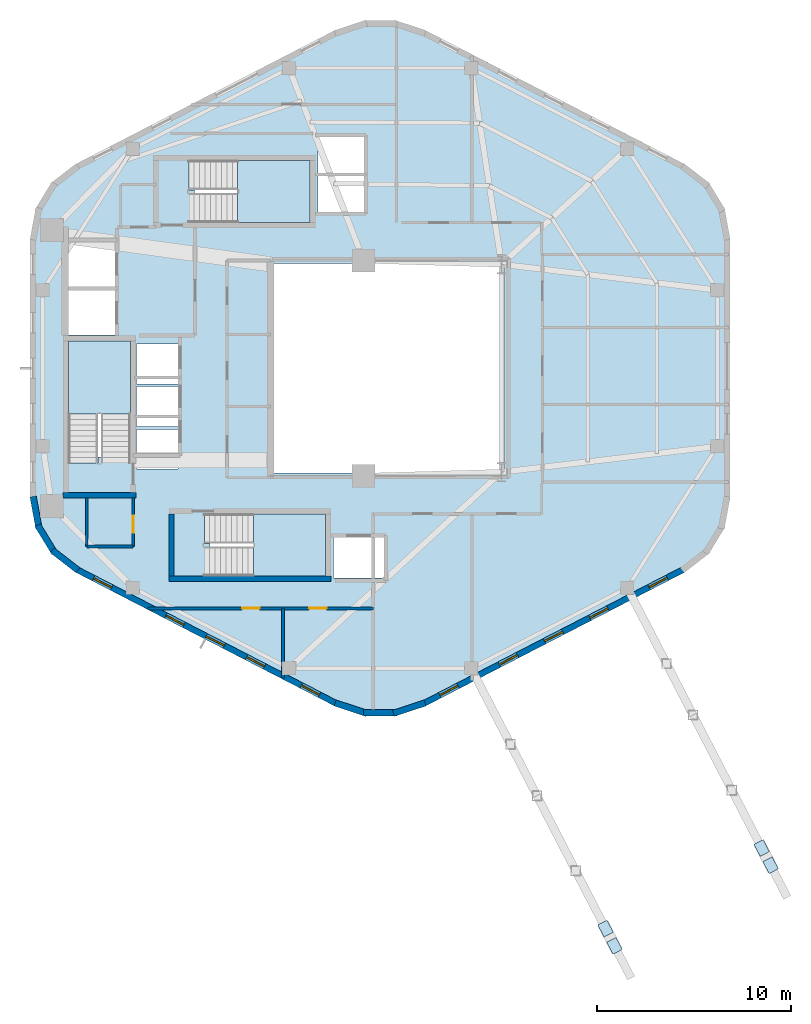
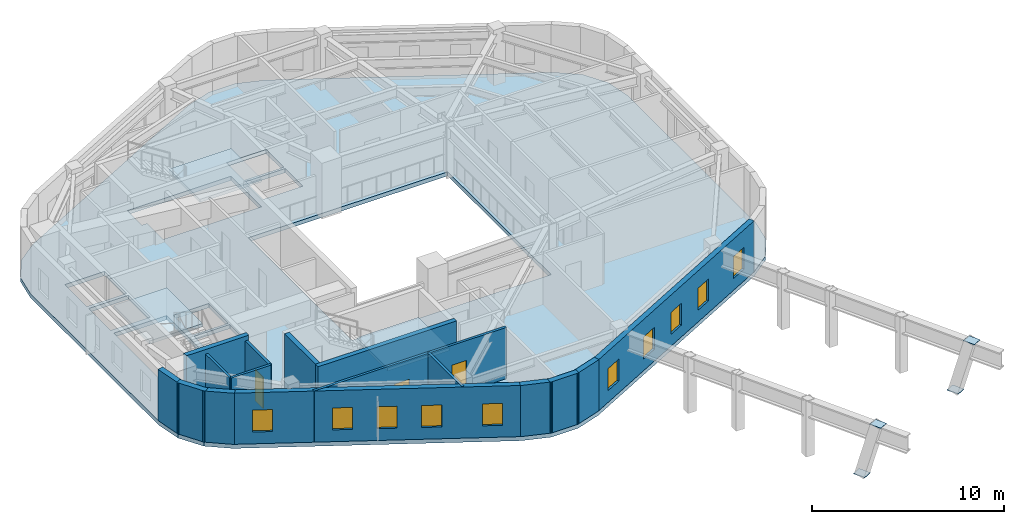
# One storey, part 2 of 6: 16 walls, 10 windows, 4 plates, 4 slabs, 3 doors, 13 openings, 3 elements without a shape of their own.
"""IFC4 building model written with IfcOpenShell, lengths in metres."""

from ifc_helpers import new_model, si_unit, direction, frame, frame_2d, origin, origin_2d, place, context, subcontext, project, spatial, polyline, rectangle, outline, extrude, material, layer, layer_set, type_object, element, fill, aggregate, save


model = new_model("IFC4")

# Units and contexts
model_context = context("Model", 3, precision=1e-05, world=origin(), true_north=direction((0.0, 1.0)))
body_context = subcontext(model_context, "Body", "Model", "MODEL_VIEW")
ifc_project = project(units=[si_unit("LENGTHUNIT", "METRE"), si_unit("AREAUNIT", "SQUARE_METRE"), si_unit("VOLUMEUNIT", "CUBIC_METRE"), si_unit("PLANEANGLEUNIT", "RADIAN"), si_unit("MASSUNIT", "GRAM", prefix="KILO"), si_unit("THERMODYNAMICTEMPERATUREUNIT", "KELVIN"), si_unit("POWERUNIT", "WATT")], contexts=[model_context])

# Site, building, storey
site_placement = place(None, origin())
site = spatial("IfcSite", under=ifc_project, at=site_placement, CompositionType="ELEMENT")
building_placement = place(site_placement, origin())
building = spatial("IfcBuilding", under=site, at=building_placement, Name="Skarre Station Tower", CompositionType="ELEMENT")
storey_placement = place(building_placement, frame((0.0, 0.0, 231.25)))
storey = spatial("IfcBuildingStorey", under=building, at=storey_placement, Name="L63", CompositionType="ELEMENT", Elevation=231.25)

# Plates
ifc_material_1 = material(Name="Steel ASTM A572 Grade 50", Category="steel")
ifc_layer_1 = layer(ifc_material_1, 0.031982421875, Name="Steel ASTM A572 Grade 50")
ifc_layer_set_1 = layer_set([ifc_layer_1], Name="Steel ASTM A572 Grade 50")
plate_type = type_object("IfcPlateType", Name="Exoskeleton Strut Cap Plate 700x540x32", PredefinedType="USERDEFINED", material=ifc_layer_set_1)
for number, where, z_axis, x_axis, name in (
    (1, (44.805908203125, -4.846923828125, -0.2861328125), (0.0, 0.0, 1.0), (0.458711590553, -0.88858521071, 0.0), "L63 SB-5 Exoskeleton Tier-4 Base Gusset S1"),
    (2, (45.264892578125, -5.735107421875, 3.23388671875), (0.0, 0.0, 1.0), (0.458711590553, -0.88858521071, 0.0), "L63 SB-5 Exoskeleton Tier-4 Head Gusset S1"),
    (3, (52.843994140625, -0.697998046875, -0.2861328125), (0.0, 0.0, 1.0), (0.458711590553, -0.88858521071, 0.0), "L63 SB-5 Exoskeleton Tier-4 Base Gusset S2"),
    (4, (53.302978515625, -1.5859375, 3.23388671875), (0.0, 0.0, 1.0), (0.458711590553, -0.88858521071, 0.0), "L63 SB-5 Exoskeleton Tier-4 Head Gusset S2"),
):
    element("IfcPlate", number, at=place(storey_placement, frame(where, z_axis=z_axis, x_axis=x_axis)), inside=storey, type_object=plate_type, Name=name, ObjectType="STIFFENER_PLATE", PredefinedType="USERDEFINED", context=body_context, shape_type="SweptSolid", body=[
        extrude(rectangle(XDim=0.699951171875, YDim=0.5400390625, at=origin_2d()), origin(), (0.0, 0.0, 1.0), 0.031982421875),
    ])

# Stair, slab
ifc_material_2 = material(Name="Concrete C40/50", Category="concrete")
stair_type_1 = type_object("IfcStairType", Name="Reinforced Concrete Exit Stair ST-1", PredefinedType="HALF_TURN_STAIR", material=ifc_material_2)
stair_1_placement = place(storey_placement, origin())
stair_1 = element("IfcStair", 5, at=stair_1_placement, inside=storey, type_object=stair_type_1, Name="L63 Core Exit Stair ST-1", PredefinedType="HALF_TURN_STAIR")
ifc_layer_2 = layer(ifc_material_2, 0.219970703125, Name="Concrete C40/50")
ifc_layer_set_2 = layer_set([ifc_layer_2], Name="Concrete C40/50")
slab_type_1 = type_object("IfcSlabType", Name="Reinforced Concrete Stair & Ramp Landing 220", PredefinedType="LANDING", material=ifc_layer_set_2)
slab_1_placement = place(storey_placement, frame((0.0, 0.0, 1.574951171875)))
slab_1 = element("IfcSlab", 6, at=slab_1_placement, type_object=slab_type_1, Name="ST-1 landing 1", PredefinedType="LANDING", context=body_context, shape_type="SweptSolid", body=[
    extrude(outline(polyline([(20.35009765625, 21.639892578125), (20.35009765625, 25.39990234375), (17.14990234375, 25.39990234375), (17.14990234375, 21.639892578125), (20.35009765625, 21.639892578125)])), origin(), (0.0, 0.0, 1.0), 0.199951171875),
])
aggregate(stair_1, [slab_1])

stair_type_2 = type_object("IfcStairType", Name="Reinforced Concrete Exit Stair ST-2", PredefinedType="HALF_TURN_STAIR", material=ifc_material_2)
stair_2_placement = place(storey_placement, origin())
stair_2 = element("IfcStair", 7, at=stair_2_placement, inside=storey, type_object=stair_type_2, Name="L63 Core Exit Stair ST-2", PredefinedType="HALF_TURN_STAIR")
slab_2_placement = place(storey_placement, frame((0.0, 0.0, 1.574951171875)))
slab_2 = element("IfcSlab", 8, at=slab_2_placement, type_object=slab_type_1, Name="ST-2 landing 1", PredefinedType="LANDING", context=body_context, shape_type="SweptSolid", body=[
    extrude(outline(polyline([(26.669921875, 13.300048828125), (30.39990234375, 13.300048828125), (30.39990234375, 16.5), (26.669921875, 16.5), (26.669921875, 13.300048828125)])), origin(), (0.0, 0.0, 1.0), 0.199951171875),
])
aggregate(stair_2, [slab_2])

stair_type_3 = type_object("IfcStairType", Name="Reinforced Concrete Exit Stair ST-3", PredefinedType="HALF_TURN_STAIR", material=ifc_material_2)
stair_3_placement = place(storey_placement, origin())
stair_3 = element("IfcStair", 9, at=stair_3_placement, inside=storey, type_object=stair_type_3, Name="L63 Core Exit Stair ST-3", PredefinedType="HALF_TURN_STAIR")
slab_3_placement = place(storey_placement, frame((0.0, 0.0, 1.574951171875)))
slab_3 = element("IfcSlab", 10, at=slab_3_placement, type_object=slab_type_1, Name="ST-3 landing 1", PredefinedType="LANDING", context=body_context, shape_type="SweptSolid", body=[
    extrude(outline(polyline([(25.8701171875, 31.5), (29.60009765625, 31.5), (29.60009765625, 34.699951171875), (25.8701171875, 34.699951171875), (25.8701171875, 31.5)])), origin(), (0.0, 0.0, 1.0), 0.199951171875),
])
aggregate(stair_3, [slab_3])

# Slab
ifc_material_3 = material(Name="Concrete C50/60", Category="concrete")
ifc_layer_3 = layer(ifc_material_3, 0.260009765625, Name="Concrete C50/60")
ifc_layer_set_3 = layer_set([ifc_layer_3], Name="Concrete C50/60")
slab_type_2 = type_object("IfcSlabType", Name="Tower Typical Composite Floor Slab 260", PredefinedType="FLOOR", material=ifc_layer_set_3)
slab_4_placement = place(storey_placement, frame((0.0, 0.0, -0.260009765625)))
element("IfcSlab", 11, at=slab_4_placement, inside=storey, type_object=slab_type_2, Name="L63 Zone 4 Structural Floor Slab", PredefinedType="FLOOR", context=body_context, shape_type="SweptSolid", body=[
    extrude(outline(polyline([(51.212890625, 30.701904296875), (50.93310546875, 32.222900390625), (50.1279296875, 33.544921875), (48.905029296875, 34.491943359375), (35.508056640625, 41.407958984375), (33.99609375, 41.906005859375), (32.404052734375, 41.906005859375), (30.89208984375, 41.407958984375), (17.4951171875, 34.491943359375), (16.27197265625, 33.544921875), (15.467041015625, 32.222900390625), (15.18701171875, 30.701904296875), (15.18701171875, 17.298095703125), (15.467041015625, 15.777099609375), (16.27197265625, 14.455078125), (17.4951171875, 13.508056640625), (30.89208984375, 6.592041015625), (32.404052734375, 6.093994140625), (33.99609375, 6.093994140625), (35.508056640625, 6.592041015625), (48.905029296875, 13.508056640625), (50.1279296875, 14.455078125), (50.93310546875, 15.777099609375), (51.212890625, 17.298095703125), (51.212890625, 30.701904296875)]), holes=[polyline([(18.669921875, 19.419921875), (18.669921875, 19.123046875), (17.14990234375, 19.123046875), (17.14990234375, 25.39990234375), (20.35009765625, 25.39990234375), (20.35009765625, 19.419921875), (18.669921875, 19.419921875)]), polyline([(24.449951171875, 14.97998046875), (24.153076171875, 14.97998046875), (24.153076171875, 16.5), (30.39990234375, 16.5), (30.39990234375, 13.300048828125), (24.449951171875, 13.300048828125), (24.449951171875, 14.97998046875)]), polyline([(23.64990234375, 33.179931640625), (23.35302734375, 33.179931640625), (23.35302734375, 34.699951171875), (29.60009765625, 34.699951171875), (29.60009765625, 31.5), (23.64990234375, 31.5), (23.64990234375, 33.179931640625)]), polyline([(17.14990234375, 28.0), (19.550048828125, 28.0), (19.550048828125, 25.699951171875), (17.14990234375, 25.699951171875), (17.14990234375, 28.0)]), polyline([(17.14990234375, 30.5), (19.550048828125, 30.5), (19.550048828125, 28.199951171875), (17.14990234375, 28.199951171875), (17.14990234375, 30.5)]), polyline([(30.800048828125, 15.300048828125), (33.39990234375, 15.300048828125), (33.39990234375, 13.199951171875), (30.800048828125, 13.199951171875), (30.800048828125, 15.300048828125)]), polyline([(20.64990234375, 20.85009765625), (22.800048828125, 20.85009765625), (22.800048828125, 18.800048828125), (20.64990234375, 18.800048828125), (20.64990234375, 20.85009765625)]), polyline([(20.64990234375, 23.050048828125), (22.800048828125, 23.050048828125), (22.800048828125, 21.0), (20.64990234375, 21.0), (20.64990234375, 23.050048828125)]), polyline([(20.64990234375, 25.25), (22.800048828125, 25.25), (22.800048828125, 23.199951171875), (20.64990234375, 23.199951171875), (20.64990234375, 25.25)]), polyline([(30.0, 33.89990234375), (32.39990234375, 33.89990234375), (32.39990234375, 32.050048828125), (30.0, 32.050048828125), (30.0, 33.89990234375)]), polyline([(30.0, 35.89990234375), (32.39990234375, 35.89990234375), (32.39990234375, 34.050048828125), (30.0, 34.050048828125), (30.0, 35.89990234375)]), polyline([(27.60009765625, 29.39990234375), (39.60009765625, 29.39990234375), (39.60009765625, 18.60009765625), (27.60009765625, 18.60009765625), (27.60009765625, 29.39990234375)])]), origin(), (0.0, 0.0, 1.0), 0.260009765625),
])

# Walls
ifc_material_4 = material(Name="Acoustic Steel-Stud Gypsum Partition", Category="steel")
ifc_layer_4 = layer(ifc_material_4, 0.14990234375, Name="Acoustic Steel-Stud Gypsum Partition")
ifc_layer_set_4 = layer_set([ifc_layer_4], Name="Acoustic Steel-Stud Gypsum Partition")
wall_type_1 = type_object("IfcWallType", Name="Fire-Rated Corridor Acoustic Partition 150", PredefinedType="PARTITIONING", material=ifc_layer_set_4)
wall_1_placement = place(storey_placement, frame((18.10009765625, 17.340087890625, 0.0), z_axis=(0.0, 0.0, 1.0), x_axis=(0.0, -1.0, 0.0)))
element("IfcWall", 12, at=wall_1_placement, inside=storey, type_object=wall_type_1, Name="L63 Interior Partition WL-PT-L63-CSVC-W", PredefinedType="PARTITIONING", context=body_context, shape_type="SweptSolid", body=[
    extrude(rectangle(XDim=2.52001953125, YDim=0.14990234375, at=frame_2d((1.260009765625, 0.0))), origin(), (0.0, 0.0, 1.0), 3.260009765625),
])
wall_2_placement = place(storey_placement, frame((18.10009765625, 14.820068359375, 0.0), z_axis=(0.0, 0.0, 1.0), x_axis=(1.0, 0.0, 0.0)))
element("IfcWall", 13, at=wall_2_placement, inside=storey, type_object=wall_type_1, Name="L63 Interior Partition WL-PT-L63-CSVC-S", PredefinedType="PARTITIONING", context=body_context, shape_type="SweptSolid", body=[
    extrude(rectangle(XDim=2.389892578125, YDim=0.14990234375, at=frame_2d((1.19482421875, 0.0))), origin(), (0.0, 0.0, 1.0), 3.260009765625),
])

# Wall, opening, door
wall_3_placement = place(storey_placement, frame((20.489990234375, 14.820068359375, 0.0), z_axis=(0.0, 0.0, 1.0), x_axis=(0.0, 1.0, 0.0)))
wall_3 = element("IfcWall", 14, at=wall_3_placement, inside=storey, type_object=wall_type_1, Name="L63 Interior Partition WL-PT-L63-CSVC-E", PredefinedType="PARTITIONING", context=body_context, shape_type="SweptSolid", body=[
    extrude(rectangle(XDim=2.52001953125, YDim=0.14990234375, at=frame_2d((1.260009765625, 0.0))), origin(), (0.0, 0.0, 1.0), 3.260009765625),
])
opening_1_placement = place(wall_3_placement, frame((0.719970703125, 0.0, 0.0)))
opening_1 = element("IfcOpeningElement", 15, at=opening_1_placement, cuts=wall_3, Name="Opening DR-SVC86", PredefinedType="OPENING", context=body_context, shape_type="SweptSolid", body=[
    extrude(rectangle(XDim=0.860107421875, YDim=2.0, at=frame_2d((0.43017578125, 1.0))), frame((0.0, 0.0849609375, 0.0), z_axis=(0.0, -1.0, 0.0), x_axis=(1.0, 0.0, 0.0)), (0.0, 0.0, 1.0), 0.169921875),
])
ifc_material_5 = material(Name="Powder-Coated Hollow-Metal Acoustic Fire Leaf", Category="steel")
door_type_1 = type_object("IfcDoorType", Name="Compact Riser Fire Door FD60 860x2100", OperationType="SINGLE_SWING_LEFT", PredefinedType="DOOR", material=ifc_material_5)
door_1_placement = place(opening_1_placement, origin())
door_1 = element("IfcDoor", 16, at=door_1_placement, inside=storey, type_object=door_type_1, Name="L63 Core Staff Toilet Door", OperationType="SINGLE_SWING_LEFT", OverallHeight=2.0, OverallWidth=0.860107421875, PredefinedType="DOOR", context=body_context, shape_type="SweptSolid", body=[
    extrude(rectangle(XDim=0.860107421875, YDim=2.0, at=frame_2d((0.43017578125, 1.0))), frame((0.0, 0.02490234375, 0.0), z_axis=(0.0, -1.0, 0.0), x_axis=(1.0, 0.0, 0.0)), (0.0, 0.0, 1.0), 0.050048828125),
])
fill(opening_1, door_1)

# Wall
wall_4_placement = place(storey_placement, frame((28.199951171875, 8.049072265625, 0.0), z_axis=(0.0, 0.0, 1.0), x_axis=(0.0, 1.0, 0.0)))
element("IfcWall", 17, at=wall_4_placement, inside=storey, type_object=wall_type_1, Name="L63 Interior Partition WL-PT-L63-SWP-M", PredefinedType="PARTITIONING", context=body_context, shape_type="SweptSolid", body=[
    extrude(rectangle(XDim=3.5908203125, YDim=0.14990234375, at=frame_2d((1.79541015625, 0.0))), origin(), (0.0, 0.0, 1.0), 3.260009765625),
])

# Wall, openings, doors
wall_5_placement = place(storey_placement, frame((21.243896484375, 11.639892578125, 0.0), z_axis=(0.0, 0.0, 1.0), x_axis=(1.0, 0.0, 0.0)))
wall_5 = element("IfcWall", 18, at=wall_5_placement, inside=storey, type_object=wall_type_1, Name="L63 Interior Partition WL-PT-L63-SWP-N", PredefinedType="PARTITIONING", context=body_context, shape_type="SweptSolid", body=[
    extrude(rectangle(XDim=11.606201171875, YDim=0.14990234375, at=frame_2d((5.80322265625, 0.0))), origin(), (0.0, 0.0, 1.0), 3.260009765625),
])
opening_2_placement = place(wall_5_placement, frame((4.85595703125, 0.0, 0.0)))
opening_2 = element("IfcOpeningElement", 19, at=opening_2_placement, cuts=wall_5, Name="Opening DR-SVC90", PredefinedType="OPENING", context=body_context, shape_type="SweptSolid", body=[
    extrude(rectangle(XDim=0.89990234375, YDim=2.0, at=frame_2d((0.449951171875, 1.0))), frame((0.0, 0.0849609375, 0.0), z_axis=(0.0, -1.0, 0.0), x_axis=(1.0, 0.0, 0.0)), (0.0, 0.0, 1.0), 0.169921875),
])
opening_3_placement = place(wall_5_placement, frame((8.305908203125, 0.0, 0.0)))
opening_3 = element("IfcOpeningElement", 20, at=opening_3_placement, cuts=wall_5, Name="Opening DR-SVC90", PredefinedType="OPENING", context=body_context, shape_type="SweptSolid", body=[
    extrude(rectangle(XDim=0.89990234375, YDim=2.0, at=frame_2d((0.449951171875, 1.0))), frame((0.0, 0.0849609375, 0.0), z_axis=(0.0, -1.0, 0.0), x_axis=(1.0, 0.0, 0.0)), (0.0, 0.0, 1.0), 0.169921875),
])
door_type_2 = type_object("IfcDoorType", Name="Service & Riser Fire Door FD60 900x2100", OperationType="SINGLE_SWING_LEFT", PredefinedType="DOOR", material=ifc_material_5)
door_2_placement = place(opening_2_placement, origin())
door_2 = element("IfcDoor", 21, at=door_2_placement, inside=storey, type_object=door_type_2, Name="L63 Floor Public Toilets Door", OperationType="SINGLE_SWING_LEFT", OverallHeight=2.0, OverallWidth=0.89990234375, PredefinedType="DOOR", context=body_context, shape_type="SweptSolid", body=[
    extrude(rectangle(XDim=0.89990234375, YDim=2.0, at=frame_2d((0.449951171875, 1.0))), frame((0.0, 0.02490234375, 0.0), z_axis=(0.0, -1.0, 0.0), x_axis=(1.0, 0.0, 0.0)), (0.0, 0.0, 1.0), 0.050048828125),
])
fill(opening_2, door_2)
door_3_placement = place(opening_3_placement, origin())
door_3 = element("IfcDoor", 22, at=door_3_placement, inside=storey, type_object=door_type_2, Name="L63 South-West Study Door", OperationType="SINGLE_SWING_LEFT", OverallHeight=2.0, OverallWidth=0.89990234375, PredefinedType="DOOR", context=body_context, shape_type="SweptSolid", body=[
    extrude(rectangle(XDim=0.89990234375, YDim=2.0, at=frame_2d((0.449951171875, 1.0))), frame((0.0, 0.02490234375, 0.0), z_axis=(0.0, -1.0, 0.0), x_axis=(1.0, 0.0, 0.0)), (0.0, 0.0, 1.0), 0.050048828125),
])
fill(opening_3, door_3)

# Walls
ifc_material_6 = material(Name="Precast concrete C45/55", Category="concrete")
ifc_layer_5 = layer(ifc_material_6, 0.330078125, Name="Precast concrete C45/55")
ifc_layer_set_5 = layer_set([ifc_layer_5], Name="Precast concrete C45/55")
wall_type_2 = type_object("IfcWallType", Name="Nordic Rounded Corner Precast Wall 330", PredefinedType="STANDARD", material=ifc_layer_set_5)
wall_6_placement = place(storey_placement, frame((17.64697265625, 13.59912109375, 0.0), z_axis=(0.0, 0.0, 1.0), x_axis=(-0.790691856293, 0.61221433207, 0.0)))
element("IfcWall", 23, at=wall_6_placement, inside=storey, type_object=wall_type_2, Name="L63 Rounded Corner Precast Wall F3-1", PredefinedType="STANDARD", context=body_context, shape_type="SweptSolid", body=[
    extrude(rectangle(XDim=1.67578125, YDim=0.330078125, at=frame_2d((0.837890625, 0.0))), origin(), (0.0, 0.0, 1.0), 3.260009765625),
])
wall_7_placement = place(storey_placement, frame((16.447021484375, 14.485107421875, 0.0), z_axis=(0.0, 0.0, 1.0), x_axis=(-0.520325409202, 0.853968072318, 0.0)))
element("IfcWall", 24, at=wall_7_placement, inside=storey, type_object=wall_type_2, Name="L63 Rounded Corner Precast Wall F3-2", PredefinedType="STANDARD", context=body_context, shape_type="SweptSolid", body=[
    extrude(rectangle(XDim=1.677978515625, YDim=0.330078125, at=frame_2d((0.8388671875, 0.0))), origin(), (0.0, 0.0, 1.0), 3.260009765625),
])
wall_8_placement = place(storey_placement, frame((15.64111328125, 15.742919921875, 0.0), z_axis=(0.0, 0.0, 1.0), x_axis=(-0.180832605401, 0.983513888475, 0.0)))
element("IfcWall", 25, at=wall_8_placement, inside=storey, type_object=wall_type_2, Name="L63 Rounded Corner Precast Wall F3-3", PredefinedType="STANDARD", context=body_context, shape_type="SweptSolid", body=[
    extrude(rectangle(XDim=1.6767578125, YDim=0.330078125, at=frame_2d((0.83837890625, 0.0))), origin(), (0.0, 0.0, 1.0), 3.260009765625),
])
wall_9_placement = place(storey_placement, frame((35.51806640625, 6.76904296875, 0.0), z_axis=(0.0, 0.0, 1.0), x_axis=(-0.949713440491, -0.313120393699, 0.0)))
element("IfcWall", 26, at=wall_9_placement, inside=storey, type_object=wall_type_2, Name="L63 Rounded Corner Precast Wall F4-1", PredefinedType="STANDARD", context=body_context, shape_type="SweptSolid", body=[
    extrude(rectangle(XDim=1.7216796875, YDim=0.330078125, at=frame_2d((0.86083984375, 0.0))), origin(), (0.0, 0.0, 1.0), 3.260009765625),
])
wall_10_placement = place(storey_placement, frame((34.06103515625, 6.259033203125, 0.0), z_axis=(0.0, 0.0, 1.0), x_axis=(-1.0, 0.0, 0.0)))
element("IfcWall", 27, at=wall_10_placement, inside=storey, type_object=wall_type_2, Name="L63 Rounded Corner Precast Wall F4-2", PredefinedType="STANDARD", context=body_context, shape_type="SweptSolid", body=[
    extrude(rectangle(XDim=1.721923828125, YDim=0.330078125, at=frame_2d((0.86083984375, 0.0))), origin(), (0.0, 0.0, 1.0), 3.260009765625),
])
wall_11_placement = place(storey_placement, frame((32.51708984375, 6.22998046875, 0.0), z_axis=(0.0, 0.0, 1.0), x_axis=(-0.949713440491, 0.313120393699, 0.0)))
element("IfcWall", 28, at=wall_11_placement, inside=storey, type_object=wall_type_2, Name="L63 Rounded Corner Precast Wall F4-3", PredefinedType="STANDARD", context=body_context, shape_type="SweptSolid", body=[
    extrude(rectangle(XDim=1.7216796875, YDim=0.330078125, at=frame_2d((0.86083984375, 0.0))), origin(), (0.0, 0.0, 1.0), 3.260009765625),
])

# Wall, openings, windows
ifc_layer_6 = layer(ifc_material_6, 0.31005859375, Name="Precast concrete C45/55")
ifc_layer_set_6 = layer_set([ifc_layer_6], Name="Precast concrete C45/55")
wall_type_3 = type_object("IfcWallType", Name="Nordic Upper-Zone Precast Facet Wall 310", PredefinedType="STANDARD", material=ifc_layer_set_6)
wall_12_placement = place(storey_placement, frame((30.962890625, 6.72998046875, 0.0), z_axis=(0.0, 0.0, 1.0), x_axis=(-0.888581481622, 0.458718814218, 0.0)))
wall_12 = element("IfcWall", 29, at=wall_12_placement, inside=storey, type_object=wall_type_3, Name="L63 Facet 3 Nordic Precast Masonry Wall", PredefinedType="STANDARD", context=body_context, shape_type="SweptSolid", body=[
    extrude(rectangle(XDim=15.076904296875, YDim=0.31005859375, at=frame_2d((7.53857421875, 0.0))), origin(), (0.0, 0.0, 1.0), 3.260009765625),
])
opening_4_placement = place(wall_12_placement, frame((0.998046875, 0.0, 0.75)))
opening_4 = element("IfcOpeningElement", 30, at=opening_4_placement, cuts=wall_12, Name="Opening WN-SLT", PredefinedType="OPENING", context=body_context, shape_type="SweptSolid", body=[
    extrude(rectangle(XDim=1.050048828125, YDim=1.39990234375, at=frame_2d((0.52490234375, 0.699951171875))), frame((0.0, 0.1650390625, 0.0), z_axis=(0.0, -1.0, 0.0), x_axis=(1.0, 0.0, 0.0)), (0.0, 0.0, 1.0), 0.330078125),
])
opening_5_placement = place(wall_12_placement, frame((4.176025390625, 0.0, 0.75)))
opening_5 = element("IfcOpeningElement", 31, at=opening_5_placement, cuts=wall_12, Name="Opening WN-SLT", PredefinedType="OPENING", context=body_context, shape_type="SweptSolid", body=[
    extrude(rectangle(XDim=1.050048828125, YDim=1.39990234375, at=frame_2d((0.52490234375, 0.699951171875))), frame((0.0, 0.1650390625, 0.0), z_axis=(0.0, -1.0, 0.0), x_axis=(1.0, 0.0, 0.0)), (0.0, 0.0, 1.0), 0.330078125),
])
opening_6_placement = place(wall_12_placement, frame((6.509033203125, 0.0, 0.75)))
opening_6 = element("IfcOpeningElement", 32, at=opening_6_placement, cuts=wall_12, Name="Opening WN-SLT", PredefinedType="OPENING", context=body_context, shape_type="SweptSolid", body=[
    extrude(rectangle(XDim=1.050048828125, YDim=1.39990234375, at=frame_2d((0.52490234375, 0.699951171875))), frame((0.0, 0.1650390625, 0.0), z_axis=(0.0, -1.0, 0.0), x_axis=(1.0, 0.0, 0.0)), (0.0, 0.0, 1.0), 0.330078125),
])
opening_7_placement = place(wall_12_placement, frame((8.842041015625, 0.0, 0.75)))
opening_7 = element("IfcOpeningElement", 33, at=opening_7_placement, cuts=wall_12, Name="Opening WN-SLT", PredefinedType="OPENING", context=body_context, shape_type="SweptSolid", body=[
    extrude(rectangle(XDim=1.050048828125, YDim=1.39990234375, at=frame_2d((0.52490234375, 0.699951171875))), frame((0.0, 0.1650390625, 0.0), z_axis=(0.0, -1.0, 0.0), x_axis=(1.0, 0.0, 0.0)), (0.0, 0.0, 1.0), 0.330078125),
])
opening_8_placement = place(wall_12_placement, frame((13.029052734375, 0.0, 0.75)))
opening_8 = element("IfcOpeningElement", 34, at=opening_8_placement, cuts=wall_12, Name="Opening WN-SLT", PredefinedType="OPENING", context=body_context, shape_type="SweptSolid", body=[
    extrude(rectangle(XDim=1.050048828125, YDim=1.39990234375, at=frame_2d((0.52490234375, 0.699951171875))), frame((0.0, 0.1650390625, 0.0), z_axis=(0.0, -1.0, 0.0), x_axis=(1.0, 0.0, 0.0)), (0.0, 0.0, 1.0), 0.330078125),
])
ifc_material_7 = material(Name="Low-Iron Triple Glazing with Bronze Anodized Frame", Category="glass")
window_type = type_object("IfcWindowType", Name="Nordic Corner Slot Window 1050x1400", PartitioningType="SINGLE_PANEL", PredefinedType="WINDOW", material=ifc_material_7)
window_1_placement = place(opening_4_placement, origin())
window_1 = element("IfcWindow", 35, at=window_1_placement, inside=storey, type_object=window_type, Name="L63 Facade Window WL-FAC-L63-F3-1", OverallHeight=1.39990234375, OverallWidth=1.050048828125, PartitioningType="SINGLE_PANEL", PredefinedType="WINDOW", context=body_context, shape_type="SweptSolid", body=[
    extrude(rectangle(XDim=1.050048828125, YDim=1.39990234375, at=frame_2d((0.52490234375, 0.699951171875))), frame((0.0, 0.030029296875, 0.0), z_axis=(0.0, -1.0, 0.0), x_axis=(1.0, 0.0, 0.0)), (0.0, 0.0, 1.0), 0.06005859375),
])
fill(opening_4, window_1)
window_2_placement = place(opening_5_placement, origin())
window_2 = element("IfcWindow", 36, at=window_2_placement, inside=storey, type_object=window_type, Name="L63 Facade Window WL-FAC-L63-F3-2", OverallHeight=1.39990234375, OverallWidth=1.050048828125, PartitioningType="SINGLE_PANEL", PredefinedType="WINDOW", context=body_context, shape_type="SweptSolid", body=[
    extrude(rectangle(XDim=1.050048828125, YDim=1.39990234375, at=frame_2d((0.52490234375, 0.699951171875))), frame((0.0, 0.030029296875, 0.0), z_axis=(0.0, -1.0, 0.0), x_axis=(1.0, 0.0, 0.0)), (0.0, 0.0, 1.0), 0.06005859375),
])
fill(opening_5, window_2)
window_3_placement = place(opening_6_placement, origin())
window_3 = element("IfcWindow", 37, at=window_3_placement, inside=storey, type_object=window_type, Name="L63 Facade Window WL-FAC-L63-F3-3", OverallHeight=1.39990234375, OverallWidth=1.050048828125, PartitioningType="SINGLE_PANEL", PredefinedType="WINDOW", context=body_context, shape_type="SweptSolid", body=[
    extrude(rectangle(XDim=1.050048828125, YDim=1.39990234375, at=frame_2d((0.52490234375, 0.699951171875))), frame((0.0, 0.030029296875, 0.0), z_axis=(0.0, -1.0, 0.0), x_axis=(1.0, 0.0, 0.0)), (0.0, 0.0, 1.0), 0.06005859375),
])
fill(opening_6, window_3)
window_4_placement = place(opening_7_placement, origin())
window_4 = element("IfcWindow", 38, at=window_4_placement, inside=storey, type_object=window_type, Name="L63 Facade Window WL-FAC-L63-F3-4", OverallHeight=1.39990234375, OverallWidth=1.050048828125, PartitioningType="SINGLE_PANEL", PredefinedType="WINDOW", context=body_context, shape_type="SweptSolid", body=[
    extrude(rectangle(XDim=1.050048828125, YDim=1.39990234375, at=frame_2d((0.52490234375, 0.699951171875))), frame((0.0, 0.030029296875, 0.0), z_axis=(0.0, -1.0, 0.0), x_axis=(1.0, 0.0, 0.0)), (0.0, 0.0, 1.0), 0.06005859375),
])
fill(opening_7, window_4)
window_5_placement = place(opening_8_placement, origin())
window_5 = element("IfcWindow", 39, at=window_5_placement, inside=storey, type_object=window_type, Name="L63 Facade Window WL-FAC-L63-F3-5", OverallHeight=1.39990234375, OverallWidth=1.050048828125, PartitioningType="SINGLE_PANEL", PredefinedType="WINDOW", context=body_context, shape_type="SweptSolid", body=[
    extrude(rectangle(XDim=1.050048828125, YDim=1.39990234375, at=frame_2d((0.52490234375, 0.699951171875))), frame((0.0, 0.030029296875, 0.0), z_axis=(0.0, -1.0, 0.0), x_axis=(1.0, 0.0, 0.0)), (0.0, 0.0, 1.0), 0.06005859375),
])
fill(opening_8, window_5)

wall_13_placement = place(storey_placement, frame((48.833984375, 13.64599609375, 0.0), z_axis=(0.0, 0.0, 1.0), x_axis=(-0.888581481622, -0.458718814218, 0.0)))
wall_13 = element("IfcWall", 40, at=wall_13_placement, inside=storey, type_object=wall_type_3, Name="L63 Facet 4 Nordic Precast Masonry Wall", PredefinedType="STANDARD", context=body_context, shape_type="SweptSolid", body=[
    extrude(rectangle(XDim=15.076904296875, YDim=0.31005859375, at=frame_2d((7.53857421875, 0.0))), origin(), (0.0, 0.0, 1.0), 3.260009765625),
])
opening_9_placement = place(wall_13_placement, frame((0.9619140625, 0.0, 0.75)))
opening_9 = element("IfcOpeningElement", 41, at=opening_9_placement, cuts=wall_13, Name="Opening WN-SLT", PredefinedType="OPENING", context=body_context, shape_type="SweptSolid", body=[
    extrude(rectangle(XDim=1.050048828125, YDim=1.39990234375, at=frame_2d((0.52490234375, 0.699951171875))), frame((0.0, 0.1650390625, 0.0), z_axis=(0.0, -1.0, 0.0), x_axis=(1.0, 0.0, 0.0)), (0.0, 0.0, 1.0), 0.330078125),
])
opening_10_placement = place(wall_13_placement, frame((4.39306640625, 0.0, 0.75)))
opening_10 = element("IfcOpeningElement", 42, at=opening_10_placement, cuts=wall_13, Name="Opening WN-SLT", PredefinedType="OPENING", context=body_context, shape_type="SweptSolid", body=[
    extrude(rectangle(XDim=1.050048828125, YDim=1.39990234375, at=frame_2d((0.52490234375, 0.699951171875))), frame((0.0, 0.1650390625, 0.0), z_axis=(0.0, -1.0, 0.0), x_axis=(1.0, 0.0, 0.0)), (0.0, 0.0, 1.0), 0.330078125),
])
opening_11_placement = place(wall_13_placement, frame((7.013916015625, 0.0, 0.75)))
opening_11 = element("IfcOpeningElement", 43, at=opening_11_placement, cuts=wall_13, Name="Opening WN-SLT", PredefinedType="OPENING", context=body_context, shape_type="SweptSolid", body=[
    extrude(rectangle(XDim=1.050048828125, YDim=1.39990234375, at=frame_2d((0.52490234375, 0.699951171875))), frame((0.0, 0.1650390625, 0.0), z_axis=(0.0, -1.0, 0.0), x_axis=(1.0, 0.0, 0.0)), (0.0, 0.0, 1.0), 0.330078125),
])
opening_12_placement = place(wall_13_placement, frame((9.635009765625, 0.0, 0.75)))
opening_12 = element("IfcOpeningElement", 44, at=opening_12_placement, cuts=wall_13, Name="Opening WN-SLT", PredefinedType="OPENING", context=body_context, shape_type="SweptSolid", body=[
    extrude(rectangle(XDim=1.050048828125, YDim=1.39990234375, at=frame_2d((0.52490234375, 0.699951171875))), frame((0.0, 0.1650390625, 0.0), z_axis=(0.0, -1.0, 0.0), x_axis=(1.0, 0.0, 0.0)), (0.0, 0.0, 1.0), 0.330078125),
])
opening_13_placement = place(wall_13_placement, frame((13.077880859375, 0.0, 0.75)))
opening_13 = element("IfcOpeningElement", 45, at=opening_13_placement, cuts=wall_13, Name="Opening WN-SLT", PredefinedType="OPENING", context=body_context, shape_type="SweptSolid", body=[
    extrude(rectangle(XDim=1.050048828125, YDim=1.39990234375, at=frame_2d((0.52490234375, 0.699951171875))), frame((0.0, 0.1650390625, 0.0), z_axis=(0.0, -1.0, 0.0), x_axis=(1.0, 0.0, 0.0)), (0.0, 0.0, 1.0), 0.330078125),
])
window_6_placement = place(opening_9_placement, origin())
window_6 = element("IfcWindow", 46, at=window_6_placement, inside=storey, type_object=window_type, Name="L63 Facade Window WL-FAC-L63-F4-1", OverallHeight=1.39990234375, OverallWidth=1.050048828125, PartitioningType="SINGLE_PANEL", PredefinedType="WINDOW", context=body_context, shape_type="SweptSolid", body=[
    extrude(rectangle(XDim=1.050048828125, YDim=1.39990234375, at=frame_2d((0.52490234375, 0.699951171875))), frame((0.0, 0.030029296875, 0.0), z_axis=(0.0, -1.0, 0.0), x_axis=(1.0, 0.0, 0.0)), (0.0, 0.0, 1.0), 0.06005859375),
])
fill(opening_9, window_6)
window_7_placement = place(opening_10_placement, origin())
window_7 = element("IfcWindow", 47, at=window_7_placement, inside=storey, type_object=window_type, Name="L63 Facade Window WL-FAC-L63-F4-2", OverallHeight=1.39990234375, OverallWidth=1.050048828125, PartitioningType="SINGLE_PANEL", PredefinedType="WINDOW", context=body_context, shape_type="SweptSolid", body=[
    extrude(rectangle(XDim=1.050048828125, YDim=1.39990234375, at=frame_2d((0.52490234375, 0.699951171875))), frame((0.0, 0.030029296875, 0.0), z_axis=(0.0, -1.0, 0.0), x_axis=(1.0, 0.0, 0.0)), (0.0, 0.0, 1.0), 0.06005859375),
])
fill(opening_10, window_7)
window_8_placement = place(opening_11_placement, origin())
window_8 = element("IfcWindow", 48, at=window_8_placement, inside=storey, type_object=window_type, Name="L63 Facade Window WL-FAC-L63-F4-3", OverallHeight=1.39990234375, OverallWidth=1.050048828125, PartitioningType="SINGLE_PANEL", PredefinedType="WINDOW", context=body_context, shape_type="SweptSolid", body=[
    extrude(rectangle(XDim=1.050048828125, YDim=1.39990234375, at=frame_2d((0.52490234375, 0.699951171875))), frame((0.0, 0.030029296875, 0.0), z_axis=(0.0, -1.0, 0.0), x_axis=(1.0, 0.0, 0.0)), (0.0, 0.0, 1.0), 0.06005859375),
])
fill(opening_11, window_8)
window_9_placement = place(opening_12_placement, origin())
window_9 = element("IfcWindow", 49, at=window_9_placement, inside=storey, type_object=window_type, Name="L63 Facade Window WL-FAC-L63-F4-4", OverallHeight=1.39990234375, OverallWidth=1.050048828125, PartitioningType="SINGLE_PANEL", PredefinedType="WINDOW", context=body_context, shape_type="SweptSolid", body=[
    extrude(rectangle(XDim=1.050048828125, YDim=1.39990234375, at=frame_2d((0.52490234375, 0.699951171875))), frame((0.0, 0.030029296875, 0.0), z_axis=(0.0, -1.0, 0.0), x_axis=(1.0, 0.0, 0.0)), (0.0, 0.0, 1.0), 0.06005859375),
])
fill(opening_12, window_9)
window_10_placement = place(opening_13_placement, origin())
window_10 = element("IfcWindow", 50, at=window_10_placement, inside=storey, type_object=window_type, Name="L63 Facade Window WL-FAC-L63-F4-5", OverallHeight=1.39990234375, OverallWidth=1.050048828125, PartitioningType="SINGLE_PANEL", PredefinedType="WINDOW", context=body_context, shape_type="SweptSolid", body=[
    extrude(rectangle(XDim=1.050048828125, YDim=1.39990234375, at=frame_2d((0.52490234375, 0.699951171875))), frame((0.0, 0.030029296875, 0.0), z_axis=(0.0, -1.0, 0.0), x_axis=(1.0, 0.0, 0.0)), (0.0, 0.0, 1.0), 0.06005859375),
])
fill(opening_13, window_10)

# Walls
ifc_layer_7 = layer(ifc_material_3, 0.280029296875, Name="Concrete C50/60")
ifc_layer_set_7 = layer_set([ifc_layer_7], Name="Concrete C50/60")
wall_type_4 = type_object("IfcWallType", Name="RC Core Shear Wall 280", PredefinedType="SHEAR", material=ifc_layer_set_7)
wall_14_placement = place(storey_placement, frame((16.8701171875, 17.4599609375, 0.0), z_axis=(0.0, 0.0, 1.0), x_axis=(1.0, 0.0, 0.0)))
element("IfcWall", 51, at=wall_14_placement, inside=storey, type_object=wall_type_4, Name="L63 Stair ST-1 South Shear Wall", PredefinedType="SHEAR", context=body_context, shape_type="SweptSolid", body=[
    extrude(rectangle(XDim=3.759765625, YDim=0.280029296875, at=frame_2d((1.8798828125, 0.0))), origin(), (0.0, 0.0, 1.0), 3.550048828125),
])
wall_15_placement = place(storey_placement, frame((22.320068359375, 13.159912109375, 0.0), z_axis=(0.0, 0.0, 1.0), x_axis=(1.0, 0.0, 0.0)))
element("IfcWall", 52, at=wall_15_placement, inside=storey, type_object=wall_type_4, Name="L63 Stair ST-2 South Shear Wall", PredefinedType="SHEAR", context=body_context, shape_type="SweptSolid", body=[
    extrude(rectangle(XDim=8.35986328125, YDim=0.280029296875, at=frame_2d((4.179931640625, 0.0))), origin(), (0.0, 0.0, 1.0), 3.550048828125),
])
wall_16_placement = place(storey_placement, frame((22.4599609375, 16.5, 0.0), z_axis=(0.0, 0.0, 1.0), x_axis=(0.0, -1.0, 0.0)))
element("IfcWall", 53, at=wall_16_placement, inside=storey, type_object=wall_type_4, Name="L63 Stair ST-2 West Shear Wall", PredefinedType="SHEAR", context=body_context, shape_type="SweptSolid", body=[
    extrude(rectangle(XDim=3.199951171875, YDim=0.280029296875, at=frame_2d((1.60009765625, 0.0))), origin(), (0.0, 0.0, 1.0), 3.550048828125),
])

save(model, "model.ifc")
